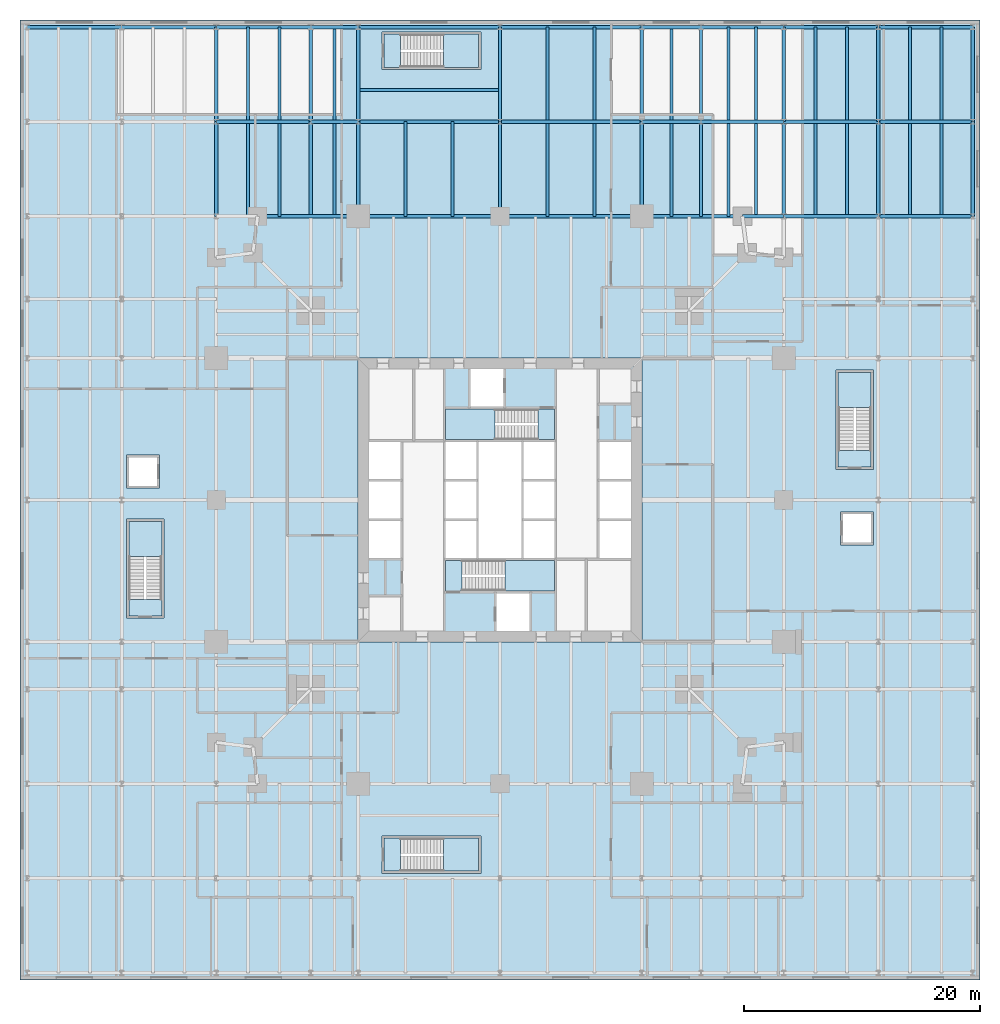
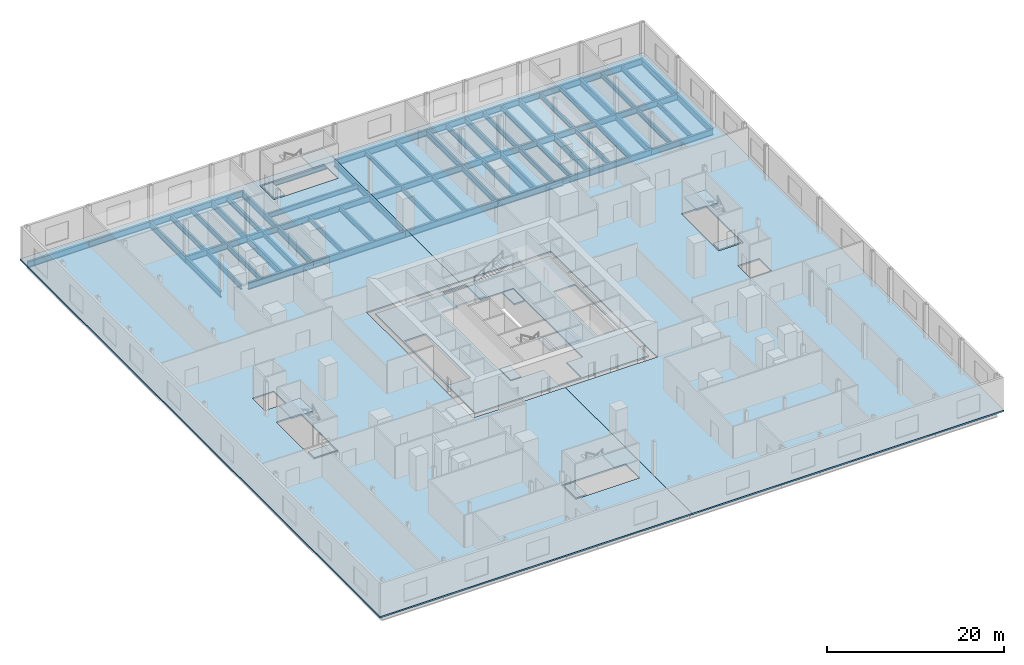
# One storey, part 7 of 16: 70 beams, 15 slabs, 6 elements without a shape of their own.
"""IFC4 building model written with IfcOpenShell, lengths in metres."""

from ifc_helpers import new_model, si_unit, direction, frame, origin, origin_2d, place, context, subcontext, project, spatial, polyline, i_section, outline, extrude, material, layer, layer_set, material_profile, profile_set, type_object, element, aggregate, save


model = new_model("IFC4")

# Units and contexts
model_context = context("Model", 3, precision=1e-05, world=origin(), true_north=direction((0.0, 1.0)))
body_context = subcontext(model_context, "Body", "Model", "MODEL_VIEW")
ifc_project = project(units=[si_unit("LENGTHUNIT", "METRE"), si_unit("AREAUNIT", "SQUARE_METRE"), si_unit("VOLUMEUNIT", "CUBIC_METRE"), si_unit("PLANEANGLEUNIT", "RADIAN"), si_unit("MASSUNIT", "GRAM", prefix="KILO")], contexts=[model_context])

# Site, building, storey
site_placement = place(None, origin())
site = spatial("IfcSite", under=ifc_project, at=site_placement, CompositionType="ELEMENT")
building_placement = place(site_placement, origin())
building = spatial("IfcBuilding", under=site, at=building_placement, Name="Fenwick Lantern Interchange", CompositionType="ELEMENT")
storey_placement = place(building_placement, frame((0.0, 0.0, 7.0)))
storey = spatial("IfcBuildingStorey", under=building, at=storey_placement, Name="L01", CompositionType="ELEMENT", Elevation=7.0)

# Beams
ifc_material_1 = material(Name="Steel ASTM A992 Grade 50", Category="steel")
ifc_material_profile_1 = material_profile(ifc_material_1, i_section(OverallWidth=0.309814453125, OverallDepth=0.949951171875, WebThickness=0.0244140625, FlangeThickness=0.0439453125, at=origin_2d()), Name="W36X256")
ifc_profile_set_1 = profile_set([ifc_material_profile_1], Name="Steel ASTM A992 Grade 50")
beam_type_1 = type_object("IfcBeamType", Name="EDGE BEAM W36X256", PredefinedType="SPANDREL", material=ifc_profile_set_1)
beam_1_placement = place(storey_placement, frame((45.5, 49.0, -0.675048828125), z_axis=(-1.0, 0.0, 0.0), x_axis=(0.0, -1.0, 0.0)))
element("IfcBeam", 1, at=beam_1_placement, inside=storey, type_object=beam_type_1, Name="L01/FR/N/EB1", PredefinedType="SPANDREL", context=body_context, shape_type="SweptSolid", body=[
    extrude(i_section(OverallWidth=0.309814453125, OverallDepth=0.949951171875, WebThickness=0.0244140625, FlangeThickness=0.0439453125, at=origin_2d()), origin(), (0.0, 0.0, 1.0), 8.5),
])
for number, where, z_axis, x_axis, name in (
    (2, (37.0, 49.0, -0.675048828125), (-1.0, 0.0, 0.0), (0.0, -1.0, 0.0), "L01/FR/N/EB2"),
    (3, (25.0, 49.0, -0.675048828125), (-1.0, 0.0, 0.0), (0.0, -1.0, 0.0), "L01/FR/N/EB3"),
):
    element("IfcBeam", number, at=place(storey_placement, frame(where, z_axis=z_axis, x_axis=x_axis)), inside=storey, type_object=beam_type_1, Name=name, PredefinedType="SPANDREL", context=body_context, shape_type="SweptSolid", body=[
        extrude(i_section(OverallWidth=0.309814453125, OverallDepth=0.949951171875, WebThickness=0.0244140625, FlangeThickness=0.0439453125, at=origin_2d()), origin(), (0.0, 0.0, 1.0), 12.0),
    ])
beam_2_placement = place(storey_placement, frame((13.0, 49.0, -0.675048828125), z_axis=(-1.0, 0.0, 0.0), x_axis=(0.0, -1.0, 0.0)))
element("IfcBeam", 4, at=beam_2_placement, inside=storey, type_object=beam_type_1, Name="L01/FR/N/EB4", PredefinedType="SPANDREL", context=body_context, shape_type="SweptSolid", body=[
    extrude(i_section(OverallWidth=0.309814453125, OverallDepth=0.949951171875, WebThickness=0.0244140625, FlangeThickness=0.0439453125, at=origin_2d()), origin(), (0.0, 0.0, 1.0), 8.5),
])
ifc_material_profile_2 = material_profile(ifc_material_1, i_section(OverallWidth=0.2919921875, OverallDepth=0.845703125, WebThickness=0.015380859375, FlangeThickness=0.0244140625, at=origin_2d()), Name="W33X141")
ifc_profile_set_2 = profile_set([ifc_material_profile_2], Name="Steel ASTM A992 Grade 50")
beam_type_2 = type_object("IfcBeamType", Name="MOMENT-CONNECTED PODIUM GIRDER W33X141", PredefinedType="BEAM", material=ifc_profile_set_2)
beam_3_placement = place(storey_placement, frame((45.5, 49.0, -0.622802734375), z_axis=(1.0, 0.0, 0.0), x_axis=(0.0, 1.0, 0.0)))
element("IfcBeam", 5, at=beam_3_placement, inside=storey, type_object=beam_type_2, Name="L01/PF/G050", PredefinedType="BEAM", context=body_context, shape_type="SweptSolid", body=[
    extrude(i_section(OverallWidth=0.2919921875, OverallDepth=0.845703125, WebThickness=0.015380859375, FlangeThickness=0.0244140625, at=origin_2d()), origin(), (0.0, 0.0, 1.0), 3.5),
])
for number, where, z_axis, x_axis, name in (
    (6, (49.0, 49.0, -0.622802734375), (1.0, 0.0, 0.0), (0.0, 1.0, 0.0), "L01/PF/G051"),
    (7, (57.0, 49.0, -0.622802734375), (1.0, 0.0, 0.0), (0.0, 1.0, 0.0), "L01/PF/G052"),
    (8, (1.0, 57.0, -0.622802734375), (1.0, 0.0, 0.0), (0.0, 1.0, 0.0), "L01/PF/G055"),
):
    element("IfcBeam", number, at=place(storey_placement, frame(where, z_axis=z_axis, x_axis=x_axis)), inside=storey, type_object=beam_type_2, Name=name, PredefinedType="BEAM", context=body_context, shape_type="SweptSolid", body=[
        extrude(i_section(OverallWidth=0.2919921875, OverallDepth=0.845703125, WebThickness=0.015380859375, FlangeThickness=0.0244140625, at=origin_2d()), origin(), (0.0, 0.0, 1.0), 8.0),
    ])
beam_4_placement = place(storey_placement, frame((9.0, 57.0, -0.622802734375), z_axis=(1.0, 0.0, 0.0), x_axis=(0.0, 1.0, 0.0)))
element("IfcBeam", 9, at=beam_4_placement, inside=storey, type_object=beam_type_2, Name="L01/PF/G056", PredefinedType="BEAM", context=body_context, shape_type="SweptSolid", body=[
    extrude(i_section(OverallWidth=0.2919921875, OverallDepth=0.845703125, WebThickness=0.015380859375, FlangeThickness=0.0244140625, at=origin_2d()), origin(), (0.0, 0.0, 1.0), 4.0),
])
for number, where, z_axis, x_axis, name in (
    (10, (13.0, 57.0, -0.622802734375), (1.0, 0.0, 0.0), (0.0, 1.0, 0.0), "L01/PF/G057"),
    (11, (25.0, 57.0, -0.622802734375), (1.0, 0.0, 0.0), (0.0, 1.0, 0.0), "L01/PF/G058"),
):
    element("IfcBeam", number, at=place(storey_placement, frame(where, z_axis=z_axis, x_axis=x_axis)), inside=storey, type_object=beam_type_2, Name=name, PredefinedType="BEAM", context=body_context, shape_type="SweptSolid", body=[
        extrude(i_section(OverallWidth=0.2919921875, OverallDepth=0.845703125, WebThickness=0.015380859375, FlangeThickness=0.0244140625, at=origin_2d()), origin(), (0.0, 0.0, 1.0), 12.0),
    ])
beam_5_placement = place(storey_placement, frame((37.0, 57.0, -0.622802734375), z_axis=(1.0, 0.0, 0.0), x_axis=(0.0, 1.0, 0.0)))
element("IfcBeam", 12, at=beam_5_placement, inside=storey, type_object=beam_type_2, Name="L01/PF/G059", PredefinedType="BEAM", context=body_context, shape_type="SweptSolid", body=[
    extrude(i_section(OverallWidth=0.2919921875, OverallDepth=0.845703125, WebThickness=0.015380859375, FlangeThickness=0.0244140625, at=origin_2d()), origin(), (0.0, 0.0, 1.0), 5.0),
])
beam_6_placement = place(storey_placement, frame((42.0, 57.0, -0.622802734375), z_axis=(1.0, 0.0, 0.0), x_axis=(0.0, 1.0, 0.0)))
element("IfcBeam", 13, at=beam_6_placement, inside=storey, type_object=beam_type_2, Name="L01/PF/G060", PredefinedType="BEAM", context=body_context, shape_type="SweptSolid", body=[
    extrude(i_section(OverallWidth=0.2919921875, OverallDepth=0.845703125, WebThickness=0.015380859375, FlangeThickness=0.0244140625, at=origin_2d()), origin(), (0.0, 0.0, 1.0), 7.0),
])
for number, where, z_axis, x_axis, name in (
    (14, (49.0, 57.0, -0.622802734375), (1.0, 0.0, 0.0), (0.0, 1.0, 0.0), "L01/PF/G061"),
    (15, (57.0, 57.0, -0.622802734375), (1.0, 0.0, 0.0), (0.0, 1.0, 0.0), "L01/PF/G062"),
    (16, (-15.0, 65.0, -0.622802734375), (1.0, 0.0, 0.0), (0.0, 1.0, 0.0), "L01/PF/G063"),
    (17, (-7.0, 65.0, -0.622802734375), (1.0, 0.0, 0.0), (0.0, 1.0, 0.0), "L01/PF/G064"),
    (18, (1.0, 65.0, -0.622802734375), (1.0, 0.0, 0.0), (0.0, 1.0, 0.0), "L01/PF/G065"),
):
    element("IfcBeam", number, at=place(storey_placement, frame(where, z_axis=z_axis, x_axis=x_axis)), inside=storey, type_object=beam_type_2, Name=name, PredefinedType="BEAM", context=body_context, shape_type="SweptSolid", body=[
        extrude(i_section(OverallWidth=0.2919921875, OverallDepth=0.845703125, WebThickness=0.015380859375, FlangeThickness=0.0244140625, at=origin_2d()), origin(), (0.0, 0.0, 1.0), 8.0),
    ])
beam_7_placement = place(storey_placement, frame((9.0, 65.0, -0.622802734375), z_axis=(1.0, 0.0, 0.0), x_axis=(0.0, 1.0, 0.0)))
element("IfcBeam", 19, at=beam_7_placement, inside=storey, type_object=beam_type_2, Name="L01/PF/G066", PredefinedType="BEAM", context=body_context, shape_type="SweptSolid", body=[
    extrude(i_section(OverallWidth=0.2919921875, OverallDepth=0.845703125, WebThickness=0.015380859375, FlangeThickness=0.0244140625, at=origin_2d()), origin(), (0.0, 0.0, 1.0), 4.0),
])
for number, where, z_axis, x_axis, name in (
    (20, (13.0, 65.0, -0.622802734375), (1.0, 0.0, 0.0), (0.0, 1.0, 0.0), "L01/PF/G067"),
    (21, (25.0, 65.0, -0.622802734375), (1.0, 0.0, 0.0), (0.0, 1.0, 0.0), "L01/PF/G068"),
):
    element("IfcBeam", number, at=place(storey_placement, frame(where, z_axis=z_axis, x_axis=x_axis)), inside=storey, type_object=beam_type_2, Name=name, PredefinedType="BEAM", context=body_context, shape_type="SweptSolid", body=[
        extrude(i_section(OverallWidth=0.2919921875, OverallDepth=0.845703125, WebThickness=0.015380859375, FlangeThickness=0.0244140625, at=origin_2d()), origin(), (0.0, 0.0, 1.0), 12.0),
    ])
beam_8_placement = place(storey_placement, frame((37.0, 65.0, -0.622802734375), z_axis=(1.0, 0.0, 0.0), x_axis=(0.0, 1.0, 0.0)))
element("IfcBeam", 22, at=beam_8_placement, inside=storey, type_object=beam_type_2, Name="L01/PF/G069", PredefinedType="BEAM", context=body_context, shape_type="SweptSolid", body=[
    extrude(i_section(OverallWidth=0.2919921875, OverallDepth=0.845703125, WebThickness=0.015380859375, FlangeThickness=0.0244140625, at=origin_2d()), origin(), (0.0, 0.0, 1.0), 5.0),
])
beam_9_placement = place(storey_placement, frame((42.0, 65.0, -0.622802734375), z_axis=(1.0, 0.0, 0.0), x_axis=(0.0, 1.0, 0.0)))
element("IfcBeam", 23, at=beam_9_placement, inside=storey, type_object=beam_type_2, Name="L01/PF/G070", PredefinedType="BEAM", context=body_context, shape_type="SweptSolid", body=[
    extrude(i_section(OverallWidth=0.2919921875, OverallDepth=0.845703125, WebThickness=0.015380859375, FlangeThickness=0.0244140625, at=origin_2d()), origin(), (0.0, 0.0, 1.0), 7.0),
])
for number, where, z_axis, x_axis, name in (
    (24, (49.0, 65.0, -0.622802734375), (1.0, 0.0, 0.0), (0.0, 1.0, 0.0), "L01/PF/G071"),
    (25, (57.0, 65.0, -0.622802734375), (1.0, 0.0, 0.0), (0.0, 1.0, 0.0), "L01/PF/G072"),
    (26, (1.0, 49.0, -0.622802734375), (0.0, 1.0, 0.0), (-1.0, 0.0, 0.0), "L01/PF/G097"),
    (27, (1.0, 57.0, -0.622802734375), (0.0, 1.0, 0.0), (-1.0, 0.0, 0.0), "L01/PF/G098"),
):
    element("IfcBeam", number, at=place(storey_placement, frame(where, z_axis=z_axis, x_axis=x_axis)), inside=storey, type_object=beam_type_2, Name=name, PredefinedType="BEAM", context=body_context, shape_type="SweptSolid", body=[
        extrude(i_section(OverallWidth=0.2919921875, OverallDepth=0.845703125, WebThickness=0.015380859375, FlangeThickness=0.0244140625, at=origin_2d()), origin(), (0.0, 0.0, 1.0), 8.0),
    ])
beam_10_placement = place(storey_placement, frame((9.0, 49.155029296875, -0.622802734375), z_axis=(0.0, 1.0, 0.0), x_axis=(-1.0, 0.0, 0.0)))
element("IfcBeam", 28, at=beam_10_placement, inside=storey, type_object=beam_type_2, Name="L01/PF/G101", PredefinedType="BEAM", context=body_context, shape_type="SweptSolid", body=[
    extrude(i_section(OverallWidth=0.2919921875, OverallDepth=0.845703125, WebThickness=0.015380859375, FlangeThickness=0.0244140625, at=origin_2d()), origin(), (0.0, 0.0, 1.0), 7.844970703125),
])
for number, where, z_axis, x_axis, name in (
    (29, (9.0, 57.0, -0.622802734375), (0.0, 1.0, 0.0), (-1.0, 0.0, 0.0), "L01/PF/G102"),
    (30, (13.0, 49.0, -0.622802734375), (0.0, 1.0, 0.0), (-1.0, 0.0, 0.0), "L01/PF/G105"),
    (31, (13.0, 57.0, -0.622802734375), (0.0, 1.0, 0.0), (-1.0, 0.0, 0.0), "L01/PF/G106"),
    (32, (25.0, 49.0, -0.622802734375), (0.0, 1.0, 0.0), (-1.0, 0.0, 0.0), "L01/PF/G109"),
    (33, (25.0, 57.0, -0.622802734375), (0.0, 1.0, 0.0), (-1.0, 0.0, 0.0), "L01/PF/G110"),
    (34, (37.0, 49.0, -0.622802734375), (0.0, 1.0, 0.0), (-1.0, 0.0, 0.0), "L01/PF/G113"),
    (35, (37.0, 57.0, -0.622802734375), (0.0, 1.0, 0.0), (-1.0, 0.0, 0.0), "L01/PF/G114"),
    (36, (42.0, 49.0, -0.622802734375), (0.0, 1.0, 0.0), (-1.0, 0.0, 0.0), "L01/PF/G117"),
    (37, (42.0, 57.0, -0.622802734375), (0.0, 1.0, 0.0), (-1.0, 0.0, 0.0), "L01/PF/G118"),
    (38, (49.0, 49.0, -0.622802734375), (0.0, 1.0, 0.0), (-1.0, 0.0, 0.0), "L01/PF/G123"),
    (39, (49.0, 57.0, -0.622802734375), (0.0, 1.0, 0.0), (-1.0, 0.0, 0.0), "L01/PF/G124"),
    (40, (57.0, 49.0, -0.622802734375), (0.0, 1.0, 0.0), (-1.0, 0.0, 0.0), "L01/PF/G133"),
    (41, (57.0, 57.0, -0.622802734375), (0.0, 1.0, 0.0), (-1.0, 0.0, 0.0), "L01/PF/G134"),
    (42, (65.0, 49.0, -0.622802734375), (0.0, 1.0, 0.0), (-1.0, 0.0, 0.0), "L01/PF/G143"),
    (43, (65.0, 57.0, -0.622802734375), (0.0, 1.0, 0.0), (-1.0, 0.0, 0.0), "L01/PF/G144"),
):
    element("IfcBeam", number, at=place(storey_placement, frame(where, z_axis=z_axis, x_axis=x_axis)), inside=storey, type_object=beam_type_2, Name=name, PredefinedType="BEAM", context=body_context, shape_type="SweptSolid", body=[
        extrude(i_section(OverallWidth=0.2919921875, OverallDepth=0.845703125, WebThickness=0.015380859375, FlangeThickness=0.0244140625, at=origin_2d()), origin(), (0.0, 0.0, 1.0), 8.0),
    ])
ifc_material_profile_3 = material_profile(ifc_material_1, i_section(OverallWidth=0.25390625, OverallDepth=0.683349609375, WebThickness=0.012451171875, FlangeThickness=0.01904296875, at=origin_2d()), Name="W27X94")
ifc_profile_set_3 = profile_set([ifc_material_profile_3], Name="Steel ASTM A992 Grade 50")
beam_type_3 = type_object("IfcBeamType", Name="PODIUM BEAM W27X94", PredefinedType="JOIST", material=ifc_profile_set_3)
for number, where, z_axis, x_axis, name in (
    (44, (3.666748046875, 49.0, -0.541748046875), (0.0, 1.0, 0.0), (-1.0, 0.0, 0.0), "L01/PF/J187"),
    (45, (6.333251953125, 49.0, -0.541748046875), (0.0, 1.0, 0.0), (-1.0, 0.0, 0.0), "L01/PF/J188"),
    (46, (3.666748046875, 57.14599609375, -0.541748046875), (0.0, 1.0, 0.0), (-1.0, 0.0, 0.0), "L01/PF/J189"),
    (47, (6.333251953125, 57.14599609375, -0.541748046875), (0.0, 1.0, 0.0), (-1.0, 0.0, 0.0), "L01/PF/J190"),
):
    element("IfcBeam", number, at=place(storey_placement, frame(where, z_axis=z_axis, x_axis=x_axis)), inside=storey, type_object=beam_type_3, Name=name, PredefinedType="JOIST", context=body_context, shape_type="SweptSolid", body=[
        extrude(i_section(OverallWidth=0.25390625, OverallDepth=0.683349609375, WebThickness=0.012451171875, FlangeThickness=0.01904296875, at=origin_2d()), origin(), (0.0, 0.0, 1.0), 7.85400390625),
    ])
beam_11_placement = place(storey_placement, frame((11.0, 49.155029296875, -0.541748046875), z_axis=(0.0, 1.0, 0.0), x_axis=(-1.0, 0.0, 0.0)))
element("IfcBeam", 48, at=beam_11_placement, inside=storey, type_object=beam_type_3, Name="L01/PF/J193", PredefinedType="JOIST", context=body_context, shape_type="SweptSolid", body=[
    extrude(i_section(OverallWidth=0.25390625, OverallDepth=0.683349609375, WebThickness=0.012451171875, FlangeThickness=0.01904296875, at=origin_2d()), origin(), (0.0, 0.0, 1.0), 7.698974609375),
])
beam_12_placement = place(storey_placement, frame((11.0, 57.14599609375, -0.541748046875), z_axis=(0.0, 1.0, 0.0), x_axis=(-1.0, 0.0, 0.0)))
element("IfcBeam", 49, at=beam_12_placement, inside=storey, type_object=beam_type_3, Name="L01/PF/J194", PredefinedType="JOIST", context=body_context, shape_type="SweptSolid", body=[
    extrude(i_section(OverallWidth=0.25390625, OverallDepth=0.683349609375, WebThickness=0.012451171875, FlangeThickness=0.01904296875, at=origin_2d()), origin(), (0.0, 0.0, 1.0), 7.85400390625),
])
for number, where, z_axis, x_axis, name in (
    (50, (17.0, 49.0, -0.541748046875), (0.0, 1.0, 0.0), (-1.0, 0.0, 0.0), "L01/PF/J198"),
    (51, (21.0, 49.0, -0.541748046875), (0.0, 1.0, 0.0), (-1.0, 0.0, 0.0), "L01/PF/J199"),
):
    element("IfcBeam", number, at=place(storey_placement, frame(where, z_axis=z_axis, x_axis=x_axis)), inside=storey, type_object=beam_type_3, Name=name, PredefinedType="JOIST", context=body_context, shape_type="SweptSolid", body=[
        extrude(i_section(OverallWidth=0.25390625, OverallDepth=0.683349609375, WebThickness=0.012451171875, FlangeThickness=0.01904296875, at=origin_2d()), origin(), (0.0, 0.0, 1.0), 8.0),
    ])
beam_13_placement = place(storey_placement, frame((13.0, 59.666748046875, -0.541748046875), z_axis=(1.0, 0.0, 0.0), x_axis=(0.0, 1.0, 0.0)))
element("IfcBeam", 52, at=beam_13_placement, inside=storey, type_object=beam_type_3, Name="L01/PF/J200", PredefinedType="JOIST", context=body_context, shape_type="SweptSolid", body=[
    extrude(i_section(OverallWidth=0.25390625, OverallDepth=0.683349609375, WebThickness=0.012451171875, FlangeThickness=0.01904296875, at=origin_2d()), origin(), (0.0, 0.0, 1.0), 12.0),
])
for number, where, z_axis, x_axis, name in (
    (53, (29.0, 49.0, -0.541748046875), (0.0, 1.0, 0.0), (-1.0, 0.0, 0.0), "L01/PF/J205"),
    (54, (33.0, 49.0, -0.541748046875), (0.0, 1.0, 0.0), (-1.0, 0.0, 0.0), "L01/PF/J206"),
    (55, (29.0, 57.14599609375, -0.541748046875), (0.0, 1.0, 0.0), (-1.0, 0.0, 0.0), "L01/PF/J207"),
    (56, (33.0, 57.14599609375, -0.541748046875), (0.0, 1.0, 0.0), (-1.0, 0.0, 0.0), "L01/PF/J208"),
    (57, (39.5, 49.0, -0.541748046875), (0.0, 1.0, 0.0), (-1.0, 0.0, 0.0), "L01/PF/J211"),
    (58, (39.5, 57.14599609375, -0.541748046875), (0.0, 1.0, 0.0), (-1.0, 0.0, 0.0), "L01/PF/J212"),
    (59, (44.333251953125, 49.0, -0.541748046875), (0.0, 1.0, 0.0), (-1.0, 0.0, 0.0), "L01/PF/J217"),
    (60, (46.666748046875, 49.0, -0.541748046875), (0.0, 1.0, 0.0), (-1.0, 0.0, 0.0), "L01/PF/J218"),
    (61, (44.333251953125, 57.14599609375, -0.541748046875), (0.0, 1.0, 0.0), (-1.0, 0.0, 0.0), "L01/PF/J219"),
    (62, (46.666748046875, 57.14599609375, -0.541748046875), (0.0, 1.0, 0.0), (-1.0, 0.0, 0.0), "L01/PF/J220"),
):
    element("IfcBeam", number, at=place(storey_placement, frame(where, z_axis=z_axis, x_axis=x_axis)), inside=storey, type_object=beam_type_3, Name=name, PredefinedType="JOIST", context=body_context, shape_type="SweptSolid", body=[
        extrude(i_section(OverallWidth=0.25390625, OverallDepth=0.683349609375, WebThickness=0.012451171875, FlangeThickness=0.01904296875, at=origin_2d()), origin(), (0.0, 0.0, 1.0), 7.85400390625),
    ])
for number, where, z_axis, x_axis, name in (
    (63, (51.666748046875, 49.14599609375, -0.541748046875), (0.0, 1.0, 0.0), (-1.0, 0.0, 0.0), "L01/PF/J235"),
    (64, (54.333251953125, 49.14599609375, -0.541748046875), (0.0, 1.0, 0.0), (-1.0, 0.0, 0.0), "L01/PF/J236"),
):
    element("IfcBeam", number, at=place(storey_placement, frame(where, z_axis=z_axis, x_axis=x_axis)), inside=storey, type_object=beam_type_3, Name=name, PredefinedType="JOIST", context=body_context, shape_type="SweptSolid", body=[
        extrude(i_section(OverallWidth=0.25390625, OverallDepth=0.683349609375, WebThickness=0.012451171875, FlangeThickness=0.01904296875, at=origin_2d()), origin(), (0.0, 0.0, 1.0), 7.7080078125),
    ])
for number, where, z_axis, x_axis, name in (
    (65, (51.666748046875, 57.14599609375, -0.541748046875), (0.0, 1.0, 0.0), (-1.0, 0.0, 0.0), "L01/PF/J237"),
    (66, (54.333251953125, 57.14599609375, -0.541748046875), (0.0, 1.0, 0.0), (-1.0, 0.0, 0.0), "L01/PF/J238"),
):
    element("IfcBeam", number, at=place(storey_placement, frame(where, z_axis=z_axis, x_axis=x_axis)), inside=storey, type_object=beam_type_3, Name=name, PredefinedType="JOIST", context=body_context, shape_type="SweptSolid", body=[
        extrude(i_section(OverallWidth=0.25390625, OverallDepth=0.683349609375, WebThickness=0.012451171875, FlangeThickness=0.01904296875, at=origin_2d()), origin(), (0.0, 0.0, 1.0), 7.85400390625),
    ])
for number, where, z_axis, x_axis, name in (
    (67, (59.666748046875, 49.14599609375, -0.541748046875), (0.0, 1.0, 0.0), (-1.0, 0.0, 0.0), "L01/PF/J255"),
    (68, (62.333251953125, 49.14599609375, -0.541748046875), (0.0, 1.0, 0.0), (-1.0, 0.0, 0.0), "L01/PF/J256"),
):
    element("IfcBeam", number, at=place(storey_placement, frame(where, z_axis=z_axis, x_axis=x_axis)), inside=storey, type_object=beam_type_3, Name=name, PredefinedType="JOIST", context=body_context, shape_type="SweptSolid", body=[
        extrude(i_section(OverallWidth=0.25390625, OverallDepth=0.683349609375, WebThickness=0.012451171875, FlangeThickness=0.01904296875, at=origin_2d()), origin(), (0.0, 0.0, 1.0), 7.7080078125),
    ])
for number, where, z_axis, x_axis, name in (
    (69, (59.666748046875, 57.14599609375, -0.541748046875), (0.0, 1.0, 0.0), (-1.0, 0.0, 0.0), "L01/PF/J257"),
    (70, (62.333251953125, 57.14599609375, -0.541748046875), (0.0, 1.0, 0.0), (-1.0, 0.0, 0.0), "L01/PF/J258"),
):
    element("IfcBeam", number, at=place(storey_placement, frame(where, z_axis=z_axis, x_axis=x_axis)), inside=storey, type_object=beam_type_3, Name=name, PredefinedType="JOIST", context=body_context, shape_type="SweptSolid", body=[
        extrude(i_section(OverallWidth=0.25390625, OverallDepth=0.683349609375, WebThickness=0.012451171875, FlangeThickness=0.01904296875, at=origin_2d()), origin(), (0.0, 0.0, 1.0), 7.85400390625),
    ])

# Slabs
ifc_material_2 = material(Name="Concrete f'c 35 MPa", Category="concrete")
ifc_layer_1 = layer(ifc_material_2, 0.199951171875)
ifc_layer_set_1 = layer_set([ifc_layer_1], Name="CORE FLOOR SLAB 200")
slab_type_1 = type_object("IfcSlabType", Name="CORE FLOOR SLAB 200", PredefinedType="FLOOR", material=ifc_layer_set_1)
slab_1_placement = place(storey_placement, frame((0.0, 0.0, -0.199951171875)))
element("IfcSlab", 71, at=slab_1_placement, inside=storey, type_object=slab_type_1, Name="L01/SLAB/CORE", PredefinedType="FLOOR", context=body_context, shape_type="SweptSolid", body=[
    extrude(outline(polyline([(13.699951171875, 36.300048828125), (36.300048828125, 36.300048828125), (36.300048828125, 13.699951171875), (13.699951171875, 13.699951171875), (13.699951171875, 36.300048828125)]), holes=[polyline([(13.89990234375, 20.0), (16.699951171875, 20.0), (16.699951171875, 23.333251953125), (16.699951171875, 26.666748046875), (16.699951171875, 30.0), (13.89990234375, 30.0), (13.89990234375, 26.666748046875), (13.89990234375, 23.333251953125), (13.89990234375, 20.0)]), polyline([(20.300048828125, 20.0), (20.300048828125, 17.199951171875), (24.60009765625, 17.199951171875), (24.60009765625, 13.89990234375), (27.60009765625, 13.89990234375), (27.60009765625, 17.199951171875), (29.699951171875, 17.199951171875), (29.699951171875, 20.0), (29.699951171875, 23.333251953125), (29.699951171875, 26.666748046875), (29.699951171875, 30.0), (29.699951171875, 32.800048828125), (25.39990234375, 32.800048828125), (25.39990234375, 36.10009765625), (22.39990234375, 36.10009765625), (22.39990234375, 32.800048828125), (20.300048828125, 32.800048828125), (20.300048828125, 30.0), (20.300048828125, 26.666748046875), (20.300048828125, 23.333251953125), (20.300048828125, 20.0)]), polyline([(33.300048828125, 23.333251953125), (33.300048828125, 20.0), (36.10009765625, 20.0), (36.10009765625, 23.333251953125), (36.10009765625, 26.666748046875), (36.10009765625, 30.0), (33.300048828125, 30.0), (33.300048828125, 26.666748046875), (33.300048828125, 23.333251953125)])]), origin(), (0.0, 0.0, 1.0), 0.199951171875),
])
ifc_material_3 = material(Name="Concrete f'c 35 MPa", Category="concrete")
ifc_layer_2 = layer(ifc_material_3, 0.199951171875)
ifc_layer_set_2 = layer_set([ifc_layer_2], Name="Concrete f'c 35 MPa")
slab_type_2 = type_object("IfcSlabType", Name="FLOOR SLAB 200", PredefinedType="FLOOR", material=ifc_layer_set_2)
slab_2_placement = place(storey_placement, frame((0.0, 0.0, -0.199951171875)))
element("IfcSlab", 72, at=slab_2_placement, inside=storey, type_object=slab_type_2, Name="L01/SLAB/FW", PredefinedType="FLOOR", context=body_context, shape_type="SweptSolid", body=[
    extrude(outline(polyline([(-15.60009765625, -15.60009765625), (-15.60009765625, 65.60009765625), (25.0, 65.60009765625), (25.0, 37.0), (13.0, 37.0), (13.0, 13.0), (25.0, 13.0), (25.0, -15.60009765625), (-15.60009765625, -15.60009765625)]), holes=[polyline([(23.39990234375, 61.39990234375), (23.39990234375, 64.60009765625), (15.0, 64.60009765625), (15.0, 61.39990234375), (23.39990234375, 61.39990234375)]), polyline([(23.39990234375, -6.60009765625), (23.39990234375, -3.39990234375), (15.0, -3.39990234375), (15.0, -6.60009765625), (23.39990234375, -6.60009765625)]), polyline([(-3.39990234375, 15.0), (-3.39990234375, 23.39990234375), (-6.60009765625, 23.39990234375), (-6.60009765625, 15.0), (-3.39990234375, 15.0)]), polyline([(-3.800048828125, 26.0), (-3.800048828125, 28.800048828125), (-6.60009765625, 28.800048828125), (-6.60009765625, 26.0), (-3.800048828125, 26.0)])]), origin(), (0.0, 0.0, 1.0), 0.199951171875),
])
slab_3_placement = place(storey_placement, frame((0.0, 0.0, -0.199951171875)))
element("IfcSlab", 73, at=slab_3_placement, inside=storey, type_object=slab_type_2, Name="L01/SLAB/FE", PredefinedType="FLOOR", context=body_context, shape_type="SweptSolid", body=[
    extrude(outline(polyline([(65.60009765625, 65.60009765625), (65.60009765625, -15.60009765625), (25.0, -15.60009765625), (25.0, 13.0), (37.0, 13.0), (37.0, 37.0), (25.0, 37.0), (25.0, 65.60009765625), (65.60009765625, 65.60009765625)]), holes=[polyline([(56.60009765625, 27.60009765625), (56.60009765625, 36.0), (53.39990234375, 36.0), (53.39990234375, 27.60009765625), (56.60009765625, 27.60009765625)]), polyline([(56.60009765625, 21.199951171875), (56.60009765625, 24.0), (53.800048828125, 24.0), (53.800048828125, 21.199951171875), (56.60009765625, 21.199951171875)])]), origin(), (0.0, 0.0, 1.0), 0.199951171875),
])

# Stair, slabs
ifc_material_4 = material(Name="Precast concrete f'c 35 MPa", Category="concrete")
stair_type_1 = type_object("IfcStairType", Name="EXIT STAIR 1200", PredefinedType="HALF_TURN_STAIR", material=ifc_material_4)
stair_1_placement = place(storey_placement, origin())
stair_1 = element("IfcStair", 74, at=stair_1_placement, inside=storey, type_object=stair_type_1, Name="Exit stair ST1", PredefinedType="HALF_TURN_STAIR")
ifc_layer_3 = layer(ifc_material_2, 0.199951171875)
ifc_layer_set_3 = layer_set([ifc_layer_3], Name="STAIR LANDING 200")
slab_type_3 = type_object("IfcSlabType", Name="STAIR LANDING 200", PredefinedType="LANDING", material=ifc_layer_set_3)
slab_4_placement = place(storey_placement, frame((0.0, 0.0, 2.199951171875)))
slab_4 = element("IfcSlab", 75, at=slab_4_placement, type_object=slab_type_3, Name="ST1 landing 1", PredefinedType="LANDING", context=body_context, shape_type="SweptSolid", body=[
    extrude(outline(polyline([(25.43994140625, 17.300048828125), (29.60009765625, 17.300048828125), (29.60009765625, 19.89990234375), (25.43994140625, 19.89990234375), (25.43994140625, 17.300048828125)])), origin(), (0.0, 0.0, 1.0), 0.199951171875),
])
slab_5_placement = place(storey_placement, frame((0.0, 0.0, -0.199951171875)))
slab_5 = element("IfcSlab", 76, at=slab_5_placement, type_object=slab_type_3, Name="ST1 landing 2", PredefinedType="LANDING", context=body_context, shape_type="SweptSolid", body=[
    extrude(outline(polyline([(20.39990234375, 17.300048828125), (21.800048828125, 17.300048828125), (21.800048828125, 19.89990234375), (20.39990234375, 19.89990234375), (20.39990234375, 17.300048828125)])), origin(), (0.0, 0.0, 1.0), 0.199951171875),
])
aggregate(stair_1, [slab_4, slab_5])

stair_2_placement = place(storey_placement, origin())
stair_2 = element("IfcStair", 77, at=stair_2_placement, inside=storey, type_object=stair_type_1, Name="Exit stair ST2", PredefinedType="HALF_TURN_STAIR")
slab_6_placement = place(storey_placement, frame((0.0, 0.0, 2.199951171875)))
slab_6 = element("IfcSlab", 78, at=slab_6_placement, type_object=slab_type_3, Name="ST2 landing 1", PredefinedType="LANDING", context=body_context, shape_type="SweptSolid", body=[
    extrude(outline(polyline([(24.56005859375, 32.699951171875), (20.39990234375, 32.699951171875), (20.39990234375, 30.10009765625), (24.56005859375, 30.10009765625), (24.56005859375, 32.699951171875)])), origin(), (0.0, 0.0, 1.0), 0.199951171875),
])
slab_7_placement = place(storey_placement, frame((0.0, 0.0, -0.199951171875)))
slab_7 = element("IfcSlab", 79, at=slab_7_placement, type_object=slab_type_3, Name="ST2 landing 2", PredefinedType="LANDING", context=body_context, shape_type="SweptSolid", body=[
    extrude(outline(polyline([(29.60009765625, 32.699951171875), (28.199951171875, 32.699951171875), (28.199951171875, 30.10009765625), (29.60009765625, 30.10009765625), (29.60009765625, 32.699951171875)])), origin(), (0.0, 0.0, 1.0), 0.199951171875),
])
aggregate(stair_2, [slab_6, slab_7])

stair_type_2 = type_object("IfcStairType", Name="EXIT STAIR 1300", PredefinedType="HALF_TURN_STAIR", material=ifc_material_4)
stair_3_placement = place(storey_placement, origin())
stair_3 = element("IfcStair", 80, at=stair_3_placement, inside=storey, type_object=stair_type_2, Name="Exit stair PS1", PredefinedType="HALF_TURN_STAIR")
slab_8_placement = place(storey_placement, frame((0.0, 0.0, 2.199951171875)))
slab_8 = element("IfcSlab", 81, at=slab_8_placement, type_object=slab_type_3, Name="PS1 landing 1", PredefinedType="LANDING", context=body_context, shape_type="SweptSolid", body=[
    extrude(outline(polyline([(20.239990234375, 61.60009765625), (23.199951171875, 61.60009765625), (23.199951171875, 64.39990234375), (20.239990234375, 64.39990234375), (20.239990234375, 61.60009765625)])), origin(), (0.0, 0.0, 1.0), 0.199951171875),
])
slab_9_placement = place(storey_placement, frame((0.0, 0.0, -0.199951171875)))
slab_9 = element("IfcSlab", 82, at=slab_9_placement, type_object=slab_type_3, Name="PS1 landing 2", PredefinedType="LANDING", context=body_context, shape_type="SweptSolid", body=[
    extrude(outline(polyline([(15.199951171875, 61.60009765625), (16.60009765625, 61.60009765625), (16.60009765625, 64.39990234375), (15.199951171875, 64.39990234375), (15.199951171875, 61.60009765625)])), origin(), (0.0, 0.0, 1.0), 0.199951171875),
])
aggregate(stair_3, [slab_8, slab_9])

stair_4_placement = place(storey_placement, origin())
stair_4 = element("IfcStair", 83, at=stair_4_placement, inside=storey, type_object=stair_type_2, Name="Exit stair PS2", PredefinedType="HALF_TURN_STAIR")
slab_10_placement = place(storey_placement, frame((0.0, 0.0, 2.199951171875)))
slab_10 = element("IfcSlab", 84, at=slab_10_placement, type_object=slab_type_3, Name="PS2 landing 1", PredefinedType="LANDING", context=body_context, shape_type="SweptSolid", body=[
    extrude(outline(polyline([(20.239990234375, -6.39990234375), (23.199951171875, -6.39990234375), (23.199951171875, -3.60009765625), (20.239990234375, -3.60009765625), (20.239990234375, -6.39990234375)])), origin(), (0.0, 0.0, 1.0), 0.199951171875),
])
slab_11_placement = place(storey_placement, frame((0.0, 0.0, -0.199951171875)))
slab_11 = element("IfcSlab", 85, at=slab_11_placement, type_object=slab_type_3, Name="PS2 landing 2", PredefinedType="LANDING", context=body_context, shape_type="SweptSolid", body=[
    extrude(outline(polyline([(15.199951171875, -6.39990234375), (16.60009765625, -6.39990234375), (16.60009765625, -3.60009765625), (15.199951171875, -3.60009765625), (15.199951171875, -6.39990234375)])), origin(), (0.0, 0.0, 1.0), 0.199951171875),
])
aggregate(stair_4, [slab_10, slab_11])

stair_5_placement = place(storey_placement, origin())
stair_5 = element("IfcStair", 86, at=stair_5_placement, inside=storey, type_object=stair_type_2, Name="Exit stair PS3", PredefinedType="HALF_TURN_STAIR")
slab_12_placement = place(storey_placement, frame((0.0, 0.0, 2.199951171875)))
slab_12 = element("IfcSlab", 87, at=slab_12_placement, type_object=slab_type_3, Name="PS3 landing 1", PredefinedType="LANDING", context=body_context, shape_type="SweptSolid", body=[
    extrude(outline(polyline([(-6.39990234375, 20.239990234375), (-3.60009765625, 20.239990234375), (-3.60009765625, 23.199951171875), (-6.39990234375, 23.199951171875), (-6.39990234375, 20.239990234375)])), origin(), (0.0, 0.0, 1.0), 0.199951171875),
])
slab_13_placement = place(storey_placement, frame((0.0, 0.0, -0.199951171875)))
slab_13 = element("IfcSlab", 88, at=slab_13_placement, type_object=slab_type_3, Name="PS3 landing 2", PredefinedType="LANDING", context=body_context, shape_type="SweptSolid", body=[
    extrude(outline(polyline([(-6.39990234375, 15.199951171875), (-3.60009765625, 15.199951171875), (-3.60009765625, 16.60009765625), (-6.39990234375, 16.60009765625), (-6.39990234375, 15.199951171875)])), origin(), (0.0, 0.0, 1.0), 0.199951171875),
])
aggregate(stair_5, [slab_12, slab_13])

stair_6_placement = place(storey_placement, origin())
stair_6 = element("IfcStair", 89, at=stair_6_placement, inside=storey, type_object=stair_type_2, Name="Exit stair PS4", PredefinedType="HALF_TURN_STAIR")
slab_14_placement = place(storey_placement, frame((0.0, 0.0, 2.199951171875)))
slab_14 = element("IfcSlab", 90, at=slab_14_placement, type_object=slab_type_3, Name="PS4 landing 1", PredefinedType="LANDING", context=body_context, shape_type="SweptSolid", body=[
    extrude(outline(polyline([(53.60009765625, 32.840087890625), (56.39990234375, 32.840087890625), (56.39990234375, 35.800048828125), (53.60009765625, 35.800048828125), (53.60009765625, 32.840087890625)])), origin(), (0.0, 0.0, 1.0), 0.199951171875),
])
slab_15_placement = place(storey_placement, frame((0.0, 0.0, -0.199951171875)))
slab_15 = element("IfcSlab", 91, at=slab_15_placement, type_object=slab_type_3, Name="PS4 landing 2", PredefinedType="LANDING", context=body_context, shape_type="SweptSolid", body=[
    extrude(outline(polyline([(53.60009765625, 27.800048828125), (56.39990234375, 27.800048828125), (56.39990234375, 29.199951171875), (53.60009765625, 29.199951171875), (53.60009765625, 27.800048828125)])), origin(), (0.0, 0.0, 1.0), 0.199951171875),
])
aggregate(stair_6, [slab_14, slab_15])

save(model, "model.ifc")
